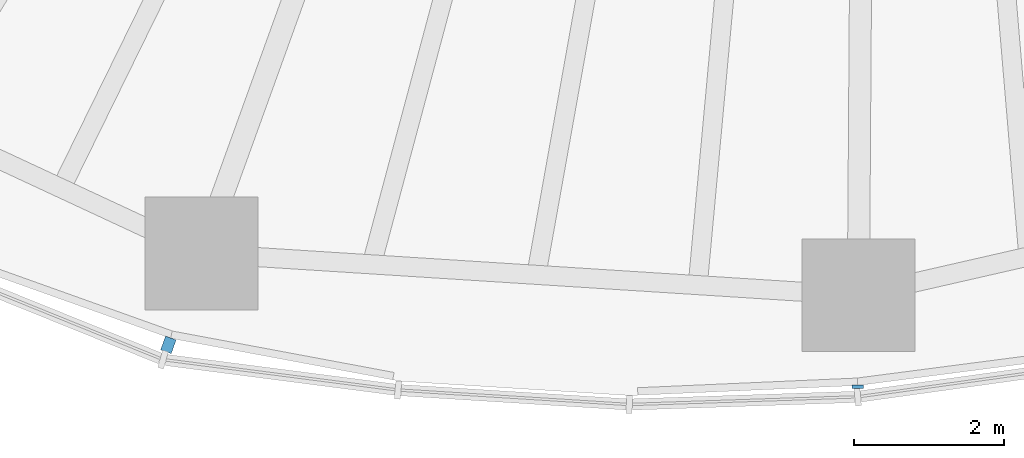
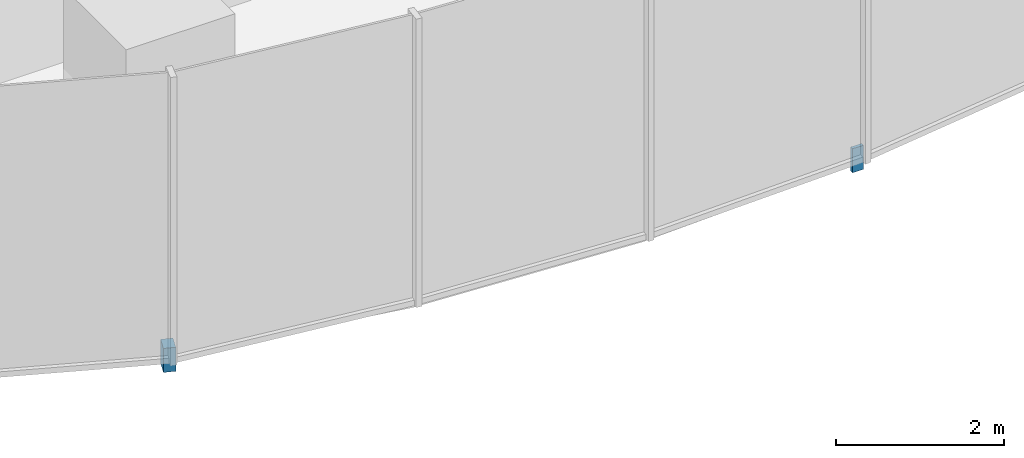
# One storey, part 12 of 18: 2 discrete accessories.
"""IFC4 building model written with IfcOpenShell, lengths in metres."""

from ifc_helpers import new_model, si_unit, direction, frame, origin, origin_2d, place, context, subcontext, project, spatial, rectangle, extrude, material, type_object, element, save


model = new_model("IFC4")

# Units and contexts
model_context = context("Model", 3, precision=1e-05, world=origin(), true_north=direction((0.0, 1.0)))
body_context = subcontext(model_context, "Body", "Model", "MODEL_VIEW")
ifc_project = project(units=[si_unit("LENGTHUNIT", "METRE"), si_unit("AREAUNIT", "SQUARE_METRE"), si_unit("VOLUMEUNIT", "CUBIC_METRE"), si_unit("PLANEANGLEUNIT", "RADIAN"), si_unit("MASSUNIT", "GRAM", prefix="KILO")], contexts=[model_context])

# Site, building, storey
site_placement = place(None, origin())
site = spatial("IfcSite", under=ifc_project, at=site_placement, CompositionType="ELEMENT")
building_placement = place(site_placement, origin())
building = spatial("IfcBuilding", under=site, at=building_placement, Name="Ghaith Harvest Tower", CompositionType="ELEMENT")
storey_placement = place(building_placement, frame((0.0, 0.0, 130.199951171875)))
storey = spatial("IfcBuildingStorey", under=building, at=storey_placement, Name="L27", CompositionType="ELEMENT", Elevation=130.199951171875)

# Discrete accessories
ifc_material_1 = material(Name="Stainless steel grade 1.4401", Category="steel")
discrete_accessory_type_1 = type_object("IfcDiscreteAccessoryType", Name="CURTAIN WALL BRACKET 195", PredefinedType="BRACKET", material=ifc_material_1)
discrete_accessory_1_placement = place(storey_placement, frame((-9.348388671875, -25.883544921875, -0.25), z_axis=(0.0, 0.0, 1.0), x_axis=(-0.33969945263, -0.940534040789, 0.0)))
element("IfcDiscreteAccessory", 1, at=discrete_accessory_1_placement, inside=storey, type_object=discrete_accessory_type_1, Name="CW-L bracket 1 bay 15 L27", PredefinedType="BRACKET", context=body_context, shape_type="SweptSolid", body=[
    extrude(rectangle(XDim=0.195068359375, YDim=0.14990234375, at=origin_2d()), origin(), (0.0, 0.0, 1.0), 0.35009765625),
])
ifc_material_2 = material(Name="Stainless steel grade 1.4401", Category="steel")
discrete_accessory_type_2 = type_object("IfcDiscreteAccessoryType", Name="CURTAIN WALL BRACKET 45", PredefinedType="BRACKET", material=ifc_material_2)
discrete_accessory_2_placement = place(storey_placement, frame((-0.180908203125, -26.441162109375, -0.25), z_axis=(0.0, 0.0, 1.0), x_axis=(-0.006843747957, -0.999976581283, 0.0)))
element("IfcDiscreteAccessory", 2, at=discrete_accessory_2_placement, inside=storey, type_object=discrete_accessory_type_2, Name="CW-L bracket 1 bay 16 L27", PredefinedType="BRACKET", context=body_context, shape_type="SweptSolid", body=[
    extrude(rectangle(XDim=0.044921875, YDim=0.14990234375, at=origin_2d()), origin(), (0.0, 0.0, 1.0), 0.35009765625),
])

save(model, "model.ifc")
